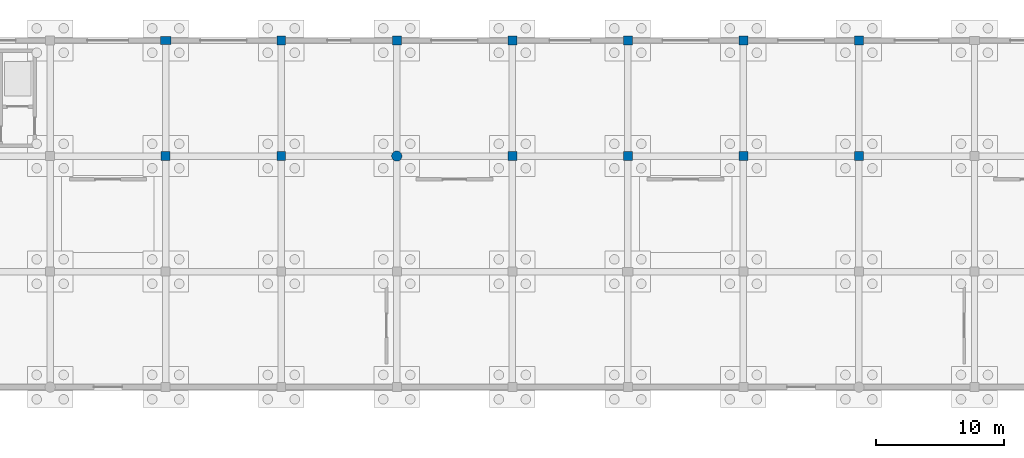
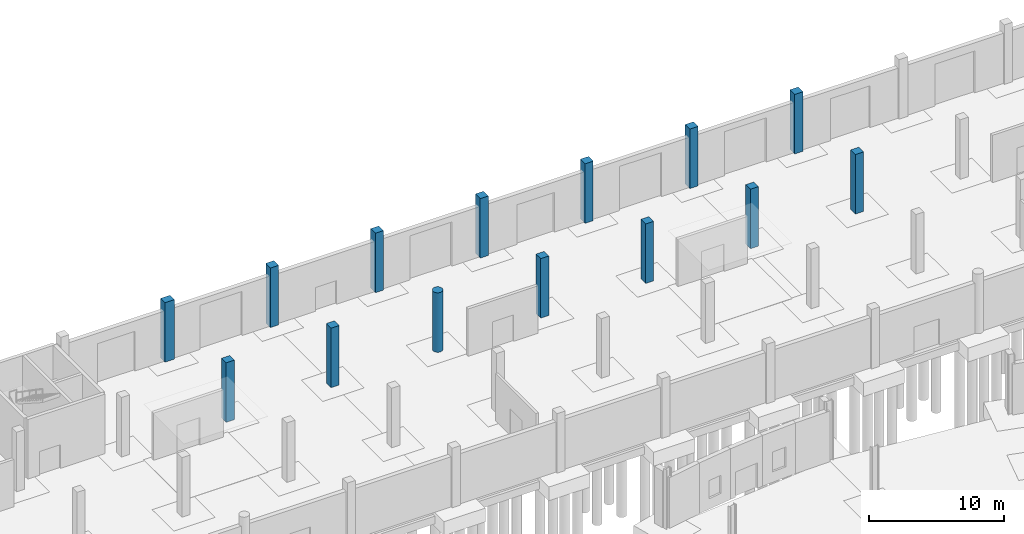
# One storey, part 47 of 118: 14 columns.
"""IFC4 building model written with IfcOpenShell, lengths in metres."""

from ifc_helpers import new_model, si_unit, direction, frame, origin, origin_2d, place, context, subcontext, project, spatial, rectangle, circle, extrude, material, material_profile, profile_set, type_object, element, save


model = new_model("IFC4")

# Units and contexts
model_context = context("Model", 3, precision=1e-05, world=origin(), true_north=direction((0.0, 1.0)))
body_context = subcontext(model_context, "Body", "Model", "MODEL_VIEW")
ifc_project = project(units=[si_unit("LENGTHUNIT", "METRE"), si_unit("AREAUNIT", "SQUARE_METRE"), si_unit("VOLUMEUNIT", "CUBIC_METRE"), si_unit("PLANEANGLEUNIT", "RADIAN"), si_unit("MASSUNIT", "GRAM", prefix="KILO")], contexts=[model_context])

# Site, building, storey
site_placement = place(None, origin())
site = spatial("IfcSite", under=ifc_project, at=site_placement, CompositionType="ELEMENT")
building_placement = place(site_placement, origin())
building = spatial("IfcBuilding", under=site, at=building_placement, Name="Kildeholm Park Wholesale Market", CompositionType="ELEMENT")
storey_placement = place(building_placement, origin())
storey = spatial("IfcBuildingStorey", under=building, at=storey_placement, Name="L00", CompositionType="ELEMENT", Elevation=0.0)

# Columns
ifc_material = material(Name="Concrete C40/50", Category="concrete")
ifc_material_profile_1 = material_profile(ifc_material, rectangle(XDim=0.699951171875, YDim=0.699951171875, at=origin_2d()), Name="RC 700x700")
ifc_profile_set_1 = profile_set([ifc_material_profile_1], Name="Concrete C40/50")
column_type_1 = type_object("IfcColumnType", Name="Column C-R03 RC 700x700", PredefinedType="COLUMN", material=ifc_profile_set_1)
for number, where, z_axis, x_axis, name in (
    (1, (63.0, 162.0, 0.0), (0.0, 0.0, 1.0), (1.0, 0.0, 0.0), "Column V4-063-162 L00 COL-0491"),
    (2, (72.0, 162.0, 0.0), (0.0, 0.0, 1.0), (1.0, 0.0, 0.0), "Column V4-072-162 L00 COL-0502"),
    (3, (72.0, 171.0, 0.0), (0.0, 0.0, 1.0), (1.0, 0.0, 0.0), "Column V4-072-171 L00 COL-0505"),
    (4, (81.0, 171.0, 0.0), (0.0, 0.0, 1.0), (1.0, 0.0, 0.0), "Column V4-081-171 L00 COL-0516"),
    (5, (90.0, 162.0, 0.0), (0.0, 0.0, 1.0), (1.0, 0.0, 0.0), "Column V4-090-162 L00 COL-0524"),
    (6, (90.0, 171.0, 0.0), (0.0, 0.0, 1.0), (1.0, 0.0, 0.0), "Column V4-090-171 L00 COL-0527"),
    (7, (99.0, 162.0, 0.0), (0.0, 0.0, 1.0), (1.0, 0.0, 0.0), "Column V4-099-162 L00 COL-0535"),
    (8, (99.0, 171.0, 0.0), (0.0, 0.0, 1.0), (1.0, 0.0, 0.0), "Column V4-099-171 L00 COL-0538"),
    (9, (108.0, 162.0, 0.0), (0.0, 0.0, 1.0), (1.0, 0.0, 0.0), "Column V4-108-162 L00 COL-0546"),
    (10, (108.0, 171.0, 0.0), (0.0, 0.0, 1.0), (1.0, 0.0, 0.0), "Column V4-108-171 L00 COL-0549"),
    (11, (117.0, 162.0, 0.0), (0.0, 0.0, 1.0), (1.0, 0.0, 0.0), "Column V4-117-162 L00 COL-0557"),
    (12, (117.0, 171.0, 0.0), (0.0, 0.0, 1.0), (1.0, 0.0, 0.0), "Column V4-117-171 L00 COL-0560"),
):
    element("IfcColumn", number, at=place(storey_placement, frame(where, z_axis=z_axis, x_axis=x_axis)), inside=storey, type_object=column_type_1, Name=name, PredefinedType="COLUMN", context=body_context, shape_type="SweptSolid", body=[
        extrude(rectangle(XDim=0.699951171875, YDim=0.699951171875, at=origin_2d()), origin(), (0.0, 0.0, 1.0), 5.39990234375),
    ])
ifc_material_profile_2 = material_profile(ifc_material, rectangle(XDim=0.800048828125, YDim=0.64990234375, at=origin_2d()), Name="RC 800x650")
ifc_profile_set_2 = profile_set([ifc_material_profile_2], Name="Concrete C40/50")
column_type_2 = type_object("IfcColumnType", Name="Column C-R04 RC 800x650", PredefinedType="COLUMN", material=ifc_profile_set_2)
column_1_placement = place(storey_placement, frame((63.0, 171.0, 0.0), z_axis=(0.0, 0.0, 1.0), x_axis=(1.0, 0.0, 0.0)))
element("IfcColumn", 13, at=column_1_placement, inside=storey, type_object=column_type_2, Name="Column V4-063-171 L00 COL-0494", PredefinedType="COLUMN", context=body_context, shape_type="SweptSolid", body=[
    extrude(rectangle(XDim=0.800048828125, YDim=0.64990234375, at=origin_2d()), origin(), (0.0, 0.0, 1.0), 5.39990234375),
])
ifc_material_profile_3 = material_profile(ifc_material, circle(Radius=0.39990234375, at=origin_2d()), Name="RC D800")
ifc_profile_set_3 = profile_set([ifc_material_profile_3], Name="Concrete C40/50")
column_type_3 = type_object("IfcColumnType", Name="Column C-R05 RC D800", PredefinedType="COLUMN", material=ifc_profile_set_3)
column_2_placement = place(storey_placement, frame((81.0, 162.0, 0.0), z_axis=(0.0, 0.0, 1.0), x_axis=(1.0, 0.0, 0.0)))
element("IfcColumn", 14, at=column_2_placement, inside=storey, type_object=column_type_3, Name="Column V4-081-162 L00 COL-0513", PredefinedType="COLUMN", context=body_context, shape_type="SweptSolid", body=[
    extrude(circle(Radius=0.39990234375, at=origin_2d()), origin(), (0.0, 0.0, 1.0), 5.39990234375),
])

save(model, "model.ifc")
